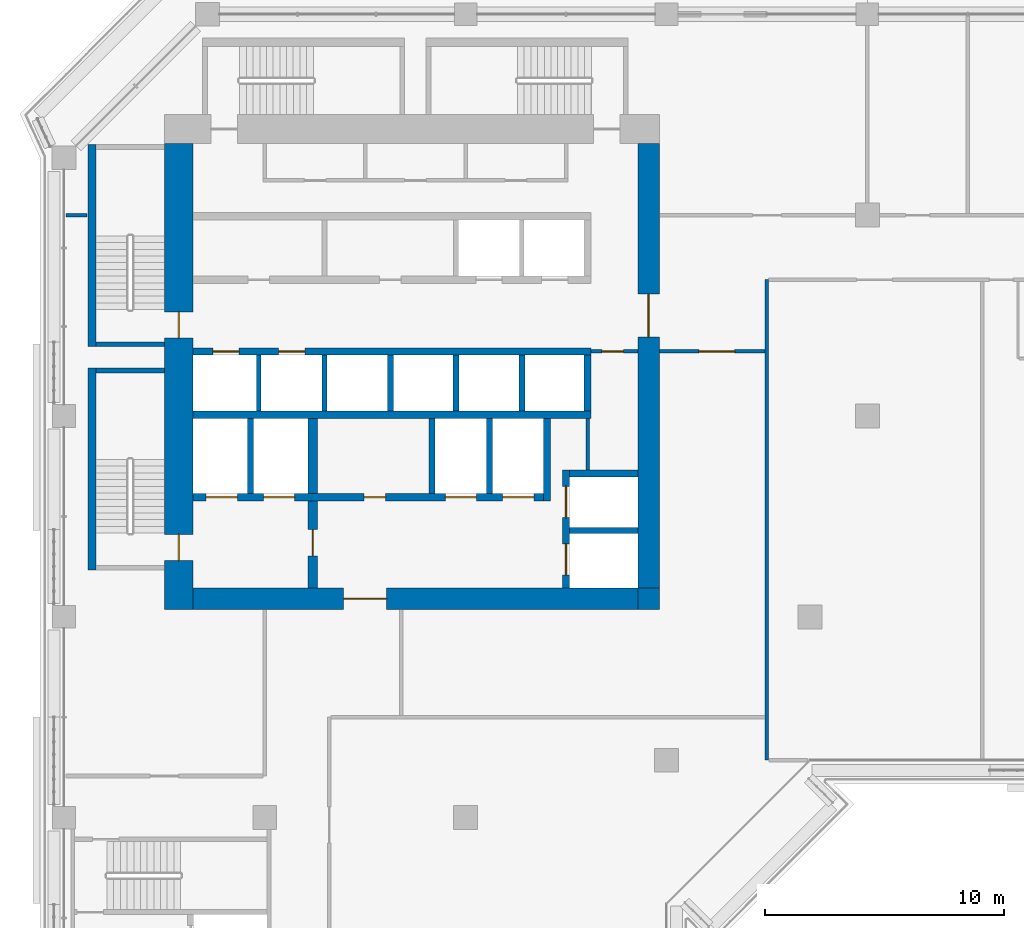
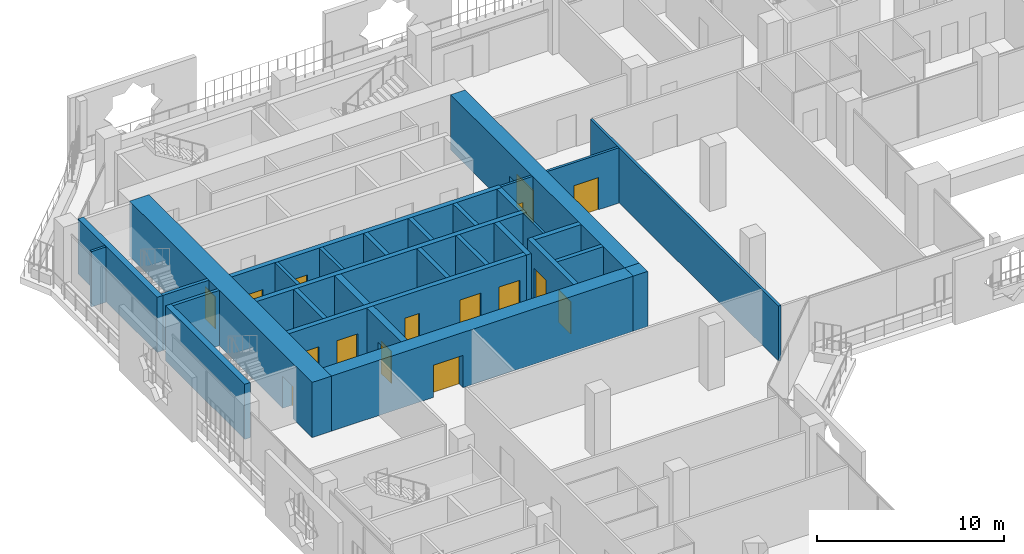
# One storey, part 12 of 23: 31 walls, 16 doors, 16 openings.
"""IFC4 building model written with IfcOpenShell, lengths in metres."""

from ifc_helpers import new_model, si_unit, direction, frame, frame_2d, origin, place, context, subcontext, project, spatial, rectangle, extrude, material, layer, layer_set, type_object, element, fill, save


model = new_model("IFC4")

# Units and contexts
model_context = context("Model", 3, precision=1e-05, world=origin(), true_north=direction((0.0, 1.0)))
body_context = subcontext(model_context, "Body", "Model", "MODEL_VIEW")
ifc_project = project(units=[si_unit("LENGTHUNIT", "METRE"), si_unit("AREAUNIT", "SQUARE_METRE"), si_unit("VOLUMEUNIT", "CUBIC_METRE"), si_unit("PLANEANGLEUNIT", "RADIAN"), si_unit("MASSUNIT", "GRAM", prefix="KILO")], contexts=[model_context])

# Site, building, storey
site_placement = place(None, origin())
site = spatial("IfcSite", under=ifc_project, at=site_placement, CompositionType="ELEMENT")
building_placement = place(site_placement, origin())
building = spatial("IfcBuilding", under=site, at=building_placement, Name="Kawkab Arch Medical Tower", CompositionType="ELEMENT")
storey_placement = place(building_placement, frame((0.0, 0.0, 166.800048828125)))
storey = spatial("IfcBuildingStorey", under=building, at=storey_placement, Name="L38", CompositionType="ELEMENT", Elevation=166.800048828125)

# Wall, openings, doors
ifc_material_1 = material(Name="Concrete C55/67", Category="concrete")
ifc_layer_1 = layer(ifc_material_1, 1.199951171875)
ifc_layer_set_1 = layer_set([ifc_layer_1], Name="Concrete C55/67")
wall_type_1 = type_object("IfcWallType", Name="Core ring wall 1200 C55/67", PredefinedType="SHEAR", material=ifc_layer_set_1)
wall_1_placement = place(storey_placement, frame((4.800048828125, -24.89990234375, 0.0), z_axis=(0.0, 0.0, 1.0), x_axis=(0.0, 1.0, 0.0)))
wall_1 = element("IfcWall", 1, at=wall_1_placement, inside=storey, type_object=wall_type_1, Name="L38 core wall", PredefinedType="SHEAR", context=body_context, shape_type="SweptSolid", body=[
    extrude(rectangle(XDim=19.5, YDim=1.199951171875, at=frame_2d((9.75, 0.0))), origin(), (0.0, 0.0, 1.0), 3.599853515625),
])
opening_1_placement = place(wall_1_placement, frame((11.35009765625, 0.0, 0.0)))
opening_1 = element("IfcOpeningElement", 2, at=opening_1_placement, cuts=wall_1, Name="Opening SD", PredefinedType="OPENING", context=body_context, shape_type="SweptSolid", body=[
    extrude(rectangle(XDim=1.10009765625, YDim=2.10009765625, at=frame_2d((0.550048828125, 1.050048828125))), frame((0.0, 0.60986328125, 0.0), z_axis=(0.0, -1.0, 0.0), x_axis=(1.0, 0.0, 0.0)), (0.0, 0.0, 1.0), 1.219970703125),
])
opening_2_placement = place(wall_1_placement, frame((2.050048828125, 0.0, 0.0)))
opening_2 = element("IfcOpeningElement", 3, at=opening_2_placement, cuts=wall_1, Name="Opening SD", PredefinedType="OPENING", context=body_context, shape_type="SweptSolid", body=[
    extrude(rectangle(XDim=1.10009765625, YDim=2.10009765625, at=frame_2d((0.550048828125, 1.050048828125))), frame((0.0, 0.60986328125, 0.0), z_axis=(0.0, -1.0, 0.0), x_axis=(1.0, 0.0, 0.0)), (0.0, 0.0, 1.0), 1.219970703125),
])
ifc_material_2 = material(Name="Hollow metal fire door leaf")
door_type_1 = type_object("IfcDoorType", Name="Exit stair door 1100", OperationType="SINGLE_SWING_LEFT", PredefinedType="DOOR", material=ifc_material_2)
door_1_placement = place(opening_1_placement, origin())
door_1 = element("IfcDoor", 4, at=door_1_placement, inside=storey, type_object=door_type_1, Name="L38 Exit stair ST1 door", OperationType="SINGLE_SWING_LEFT", OverallHeight=2.10009765625, OverallWidth=1.10009765625, PredefinedType="DOOR", context=body_context, shape_type="SweptSolid", body=[
    extrude(rectangle(XDim=1.10009765625, YDim=2.10009765625, at=frame_2d((0.550048828125, 1.050048828125))), frame((0.0, 0.02490234375, 0.0), z_axis=(0.0, -1.0, 0.0), x_axis=(1.0, 0.0, 0.0)), (0.0, 0.0, 1.0), 0.050048828125),
])
fill(opening_1, door_1)
door_2_placement = place(opening_2_placement, origin())
door_2 = element("IfcDoor", 5, at=door_2_placement, inside=storey, type_object=door_type_1, Name="L38 Exit stair ST2 door", OperationType="SINGLE_SWING_LEFT", OverallHeight=2.10009765625, OverallWidth=1.10009765625, PredefinedType="DOOR", context=body_context, shape_type="SweptSolid", body=[
    extrude(rectangle(XDim=1.10009765625, YDim=2.10009765625, at=frame_2d((0.550048828125, 1.050048828125))), frame((0.0, 0.02490234375, 0.0), z_axis=(0.0, -1.0, 0.0), x_axis=(1.0, 0.0, 0.0)), (0.0, 0.0, 1.0), 0.050048828125),
])
fill(opening_2, door_2)

# Wall, opening, door
ifc_material_3 = material(Name="Concrete C55/67", Category="concrete")
ifc_layer_2 = layer(ifc_material_3, 0.89990234375)
ifc_layer_set_2 = layer_set([ifc_layer_2], Name="Concrete C55/67")
wall_type_2 = type_object("IfcWallType", Name="Core ring wall 900 C55/67", PredefinedType="SHEAR", material=ifc_layer_set_2)
wall_2_placement = place(storey_placement, frame((24.449951171875, -24.0, 0.0), z_axis=(0.0, 0.0, 1.0), x_axis=(0.0, 1.0, 0.0)))
wall_2 = element("IfcWall", 6, at=wall_2_placement, inside=storey, type_object=wall_type_2, Name="L38 core wall", PredefinedType="SHEAR", context=body_context, shape_type="SweptSolid", body=[
    extrude(rectangle(XDim=18.60009765625, YDim=0.89990234375, at=frame_2d((9.300048828125, 0.0))), origin(), (0.0, 0.0, 1.0), 3.599853515625),
])
opening_3_placement = place(wall_2_placement, frame((10.5, 0.0, 0.0)))
opening_3 = element("IfcOpeningElement", 7, at=opening_3_placement, cuts=wall_2, Name="Opening PD", PredefinedType="OPENING", context=body_context, shape_type="SweptSolid", body=[
    extrude(rectangle(XDim=1.800048828125, YDim=2.10009765625, at=frame_2d((0.89990234375, 1.050048828125))), frame((0.0, 0.4599609375, 0.0), z_axis=(0.0, -1.0, 0.0), x_axis=(1.0, 0.0, 0.0)), (0.0, 0.0, 1.0), 0.919921875),
])
ifc_material_4 = material(Name="Hollow metal fire door leaf")
door_type_2 = type_object("IfcDoorType", Name="Core entrance doors 1800", OperationType="DOUBLE_DOOR_SINGLE_SWING", PredefinedType="DOOR", material=ifc_material_4)
door_3_placement = place(opening_3_placement, origin())
door_3 = element("IfcDoor", 8, at=door_3_placement, inside=storey, type_object=door_type_2, Name="L38 East entrance doors", OperationType="DOUBLE_DOOR_SINGLE_SWING", OverallHeight=2.10009765625, OverallWidth=1.800048828125, PredefinedType="DOOR", context=body_context, shape_type="SweptSolid", body=[
    extrude(rectangle(XDim=1.800048828125, YDim=2.10009765625, at=frame_2d((0.89990234375, 1.050048828125))), frame((0.0, 0.02490234375, 0.0), z_axis=(0.0, -1.0, 0.0), x_axis=(1.0, 0.0, 0.0)), (0.0, 0.0, 1.0), 0.050048828125),
])
fill(opening_3, door_3)

wall_3_placement = place(storey_placement, frame((5.39990234375, -24.449951171875, 0.0), z_axis=(0.0, 0.0, 1.0), x_axis=(1.0, 0.0, 0.0)))
wall_3 = element("IfcWall", 9, at=wall_3_placement, inside=storey, type_object=wall_type_2, Name="L38 core wall", PredefinedType="SHEAR", context=body_context, shape_type="SweptSolid", body=[
    extrude(rectangle(XDim=18.60009765625, YDim=0.89990234375, at=frame_2d((9.300048828125, 0.0))), origin(), (0.0, 0.0, 1.0), 3.599853515625),
])
opening_4_placement = place(wall_3_placement, frame((6.300048828125, 0.0, 0.0)))
opening_4 = element("IfcOpeningElement", 10, at=opening_4_placement, cuts=wall_3, Name="Opening PD", PredefinedType="OPENING", context=body_context, shape_type="SweptSolid", body=[
    extrude(rectangle(XDim=1.800048828125, YDim=2.10009765625, at=frame_2d((0.89990234375, 1.050048828125))), frame((0.0, 0.4599609375, 0.0), z_axis=(0.0, -1.0, 0.0), x_axis=(1.0, 0.0, 0.0)), (0.0, 0.0, 1.0), 0.919921875),
])
door_4_placement = place(opening_4_placement, origin())
door_4 = element("IfcDoor", 11, at=door_4_placement, inside=storey, type_object=door_type_2, Name="L38 South entrance doors", OperationType="DOUBLE_DOOR_SINGLE_SWING", OverallHeight=2.10009765625, OverallWidth=1.800048828125, PredefinedType="DOOR", context=body_context, shape_type="SweptSolid", body=[
    extrude(rectangle(XDim=1.800048828125, YDim=2.10009765625, at=frame_2d((0.89990234375, 1.050048828125))), frame((0.0, 0.02490234375, 0.0), z_axis=(0.0, -1.0, 0.0), x_axis=(1.0, 0.0, 0.0)), (0.0, 0.0, 1.0), 0.050048828125),
])
fill(opening_4, door_4)

# Walls
wall_4_placement = place(storey_placement, frame((24.449951171875, -24.89990234375, 0.0), z_axis=(0.0, 0.0, 1.0), x_axis=(0.0, 1.0, 0.0)))
element("IfcWall", 12, at=wall_4_placement, inside=storey, type_object=wall_type_2, Name="L38 core wall", PredefinedType="SHEAR", context=body_context, shape_type="SweptSolid", body=[
    extrude(rectangle(XDim=0.89990234375, YDim=0.89990234375, at=frame_2d((0.449951171875, 0.0))), origin(), (0.0, 0.0, 1.0), 3.599853515625),
])
ifc_material_5 = material(Name="Gypsum board on steel studs", Category="steel")
ifc_layer_3 = layer(ifc_material_5, 0.14990234375)
ifc_layer_set_3 = layer_set([ifc_layer_3], Name="Gypsum board on steel studs")
wall_type_3 = type_object("IfcWallType", Name="Core room partition 150", PredefinedType="PARTITIONING", material=ifc_layer_set_3)
wall_5_placement = place(storey_placement, frame((21.89990234375, -19.050048828125, 0.0), z_axis=(0.0, 0.0, 1.0), x_axis=(0.0, 1.0, 0.0)))
element("IfcWall", 13, at=wall_5_placement, inside=storey, type_object=wall_type_3, Name="L38 core room partition", PredefinedType="PARTITIONING", context=body_context, shape_type="SweptSolid", body=[
    extrude(rectangle(XDim=2.150146484375, YDim=0.14990234375, at=frame_2d((1.0751953125, 0.0))), origin(), (0.0, 0.0, 1.0), 3.599853515625),
])

# Wall, opening, door
wall_6_placement = place(storey_placement, frame((22.050048828125, -14.10009765625, 0.0), z_axis=(0.0, 0.0, 1.0), x_axis=(1.0, 0.0, 0.0)))
wall_6 = element("IfcWall", 14, at=wall_6_placement, inside=storey, type_object=wall_type_3, Name="L38 core room partition", PredefinedType="PARTITIONING", context=body_context, shape_type="SweptSolid", body=[
    extrude(rectangle(XDim=1.949951171875, YDim=0.14990234375, at=frame_2d((0.97509765625, 0.0))), origin(), (0.0, 0.0, 1.0), 3.599853515625),
])
opening_5_placement = place(wall_6_placement, frame((0.449951171875, 0.0, 0.0)))
opening_5 = element("IfcOpeningElement", 15, at=opening_5_placement, cuts=wall_6, Name="Opening RD", PredefinedType="OPENING", context=body_context, shape_type="SweptSolid", body=[
    extrude(rectangle(XDim=0.89990234375, YDim=2.10009765625, at=frame_2d((0.449951171875, 1.050048828125))), frame((0.0, 0.0849609375, 0.0), z_axis=(0.0, -1.0, 0.0), x_axis=(1.0, 0.0, 0.0)), (0.0, 0.0, 1.0), 0.169921875),
])
ifc_material_6 = material(Name="Hollow metal fire door leaf")
door_type_3 = type_object("IfcDoorType", Name="Core room door 900", OperationType="SINGLE_SWING_LEFT", PredefinedType="DOOR", material=ifc_material_6)
door_5_placement = place(opening_5_placement, origin())
door_5 = element("IfcDoor", 16, at=door_5_placement, inside=storey, type_object=door_type_3, Name="L38 Housekeeping store door", OperationType="SINGLE_SWING_LEFT", OverallHeight=2.10009765625, OverallWidth=0.89990234375, PredefinedType="DOOR", context=body_context, shape_type="SweptSolid", body=[
    extrude(rectangle(XDim=0.89990234375, YDim=2.10009765625, at=frame_2d((0.449951171875, 1.050048828125))), frame((0.0, 0.02490234375, 0.0), z_axis=(0.0, -1.0, 0.0), x_axis=(1.0, 0.0, 0.0)), (0.0, 0.0, 1.0), 0.050048828125),
])
fill(opening_5, door_5)

# Walls
ifc_material_7 = material(Name="Concrete C60/75", Category="concrete")
ifc_layer_4 = layer(ifc_material_7, 0.25)
ifc_layer_set_4 = layer_set([ifc_layer_4], Name="Concrete C60/75")
wall_type_4 = type_object("IfcWallType", Name="Core shear wall 250 C60/75", PredefinedType="SHEAR", material=ifc_layer_set_4)
wall_7_placement = place(storey_placement, frame((21.14990234375, -21.60009765625, 0.0), z_axis=(0.0, 0.0, 1.0), x_axis=(1.0, 0.0, 0.0)))
element("IfcWall", 17, at=wall_7_placement, inside=storey, type_object=wall_type_4, Name="L38 core shear wall", PredefinedType="SHEAR", context=body_context, shape_type="SweptSolid", body=[
    extrude(rectangle(XDim=2.85009765625, YDim=0.25, at=frame_2d((1.425048828125, 0.0))), origin(), (0.0, 0.0, 1.0), 3.599853515625),
])
for number, where, z_axis, x_axis, name in (
    (18, (7.800048828125, -20.050048828125, 0.0), (0.0, 0.0, 1.0), (0.0, 1.0, 0.0), "L38 core shear wall"),
    (19, (15.39990234375, -20.050048828125, 0.0), (0.0, 0.0, 1.0), (0.0, 1.0, 0.0), "L38 core shear wall"),
    (20, (17.800048828125, -20.050048828125, 0.0), (0.0, 0.0, 1.0), (0.0, 1.0, 0.0), "L38 core shear wall"),
):
    element("IfcWall", number, at=place(storey_placement, frame(where, z_axis=z_axis, x_axis=x_axis)), inside=storey, type_object=wall_type_4, Name=name, PredefinedType="SHEAR", context=body_context, shape_type="SweptSolid", body=[
        extrude(rectangle(XDim=3.150146484375, YDim=0.25, at=frame_2d((1.5751953125, 0.0))), origin(), (0.0, 0.0, 1.0), 3.599853515625),
    ])
for number, where, z_axis, x_axis, name in (
    (21, (13.64990234375, -16.60009765625, 0.0), (0.0, 0.0, 1.0), (0.0, 1.0, 0.0), "L38 core shear wall"),
    (22, (16.39990234375, -16.60009765625, 0.0), (0.0, 0.0, 1.0), (0.0, 1.0, 0.0), "L38 core shear wall"),
    (23, (19.14990234375, -16.60009765625, 0.0), (0.0, 0.0, 1.0), (0.0, 1.0, 0.0), "L38 core shear wall"),
):
    element("IfcWall", number, at=place(storey_placement, frame(where, z_axis=z_axis, x_axis=x_axis)), inside=storey, type_object=wall_type_4, Name=name, PredefinedType="SHEAR", context=body_context, shape_type="SweptSolid", body=[
        extrude(rectangle(XDim=2.35009765625, YDim=0.25, at=frame_2d((1.175048828125, 0.0))), origin(), (0.0, 0.0, 1.0), 3.599853515625),
    ])

# Wall, openings, doors
ifc_material_8 = material(Name="Concrete C60/75", Category="concrete")
ifc_layer_5 = layer(ifc_material_8, 0.300048828125)
ifc_layer_set_5 = layer_set([ifc_layer_5], Name="Concrete C60/75")
wall_type_5 = type_object("IfcWallType", Name="Core shear wall 300 C60/75", PredefinedType="SHEAR", material=ifc_layer_set_5)
wall_8_placement = place(storey_placement, frame((5.39990234375, -14.10009765625, 0.0), z_axis=(0.0, 0.0, 1.0), x_axis=(1.0, 0.0, 0.0)))
wall_8 = element("IfcWall", 24, at=wall_8_placement, inside=storey, type_object=wall_type_5, Name="L38 core shear wall", PredefinedType="SHEAR", context=body_context, shape_type="SweptSolid", body=[
    extrude(rectangle(XDim=16.650146484375, YDim=0.300048828125, at=frame_2d((8.3251953125, 0.0))), origin(), (0.0, 0.0, 1.0), 3.599853515625),
])
opening_6_placement = place(wall_8_placement, frame((0.824951171875, 0.0, 0.0)))
opening_6 = element("IfcOpeningElement", 25, at=opening_6_placement, cuts=wall_8, Name="Opening LD1", PredefinedType="OPENING", context=body_context, shape_type="SweptSolid", body=[
    extrude(rectangle(XDim=1.10009765625, YDim=2.10009765625, at=frame_2d((0.550048828125, 1.050048828125))), frame((0.0, 0.159912109375, 0.0), z_axis=(0.0, -1.0, 0.0), x_axis=(1.0, 0.0, 0.0)), (0.0, 0.0, 1.0), 0.320068359375),
])
opening_7_placement = place(wall_8_placement, frame((3.574951171875, 0.0, 0.0)))
opening_7 = element("IfcOpeningElement", 26, at=opening_7_placement, cuts=wall_8, Name="Opening LD1", PredefinedType="OPENING", context=body_context, shape_type="SweptSolid", body=[
    extrude(rectangle(XDim=1.10009765625, YDim=2.10009765625, at=frame_2d((0.550048828125, 1.050048828125))), frame((0.0, 0.159912109375, 0.0), z_axis=(0.0, -1.0, 0.0), x_axis=(1.0, 0.0, 0.0)), (0.0, 0.0, 1.0), 0.320068359375),
])
ifc_material_9 = material(Name="Stainless steel lift door leaf", Category="steel")
door_type_4 = type_object("IfcDoorType", Name="Lift landing door 1100", OperationType="DOUBLE_DOOR_SLIDING", PredefinedType="DOOR", material=ifc_material_9)
door_6_placement = place(opening_6_placement, origin())
door_6 = element("IfcDoor", 27, at=door_6_placement, inside=storey, type_object=door_type_4, Name="L38 Lift landing door MP3", OperationType="DOUBLE_DOOR_SLIDING", OverallHeight=2.10009765625, OverallWidth=1.10009765625, PredefinedType="DOOR", context=body_context, shape_type="SweptSolid", body=[
    extrude(rectangle(XDim=1.10009765625, YDim=2.10009765625, at=frame_2d((0.550048828125, 1.050048828125))), frame((0.0, 0.02490234375, 0.0), z_axis=(0.0, -1.0, 0.0), x_axis=(1.0, 0.0, 0.0)), (0.0, 0.0, 1.0), 0.050048828125),
])
fill(opening_6, door_6)
door_7_placement = place(opening_7_placement, origin())
door_7 = element("IfcDoor", 28, at=door_7_placement, inside=storey, type_object=door_type_4, Name="L38 Lift landing door MP4", OperationType="DOUBLE_DOOR_SLIDING", OverallHeight=2.10009765625, OverallWidth=1.10009765625, PredefinedType="DOOR", context=body_context, shape_type="SweptSolid", body=[
    extrude(rectangle(XDim=1.10009765625, YDim=2.10009765625, at=frame_2d((0.550048828125, 1.050048828125))), frame((0.0, 0.02490234375, 0.0), z_axis=(0.0, -1.0, 0.0), x_axis=(1.0, 0.0, 0.0)), (0.0, 0.0, 1.0), 0.050048828125),
])
fill(opening_7, door_7)

# Wall
wall_9_placement = place(storey_placement, frame((5.39990234375, -16.75, 0.0), z_axis=(0.0, 0.0, 1.0), x_axis=(1.0, 0.0, 0.0)))
element("IfcWall", 29, at=wall_9_placement, inside=storey, type_object=wall_type_5, Name="L38 core shear wall", PredefinedType="SHEAR", context=body_context, shape_type="SweptSolid", body=[
    extrude(rectangle(XDim=16.650146484375, YDim=0.300048828125, at=frame_2d((8.3251953125, 0.0))), origin(), (0.0, 0.0, 1.0), 3.599853515625),
])

# Wall, openings, doors
wall_10_placement = place(storey_placement, frame((5.39990234375, -20.199951171875, 0.0), z_axis=(0.0, 0.0, 1.0), x_axis=(1.0, 0.0, 0.0)))
wall_10 = element("IfcWall", 30, at=wall_10_placement, inside=storey, type_object=wall_type_5, Name="L38 core shear wall", PredefinedType="SHEAR", context=body_context, shape_type="SweptSolid", body=[
    extrude(rectangle(XDim=14.650146484375, YDim=0.300048828125, at=frame_2d((7.3251953125, 0.0))), origin(), (0.0, 0.0, 1.0), 3.599853515625),
])
opening_8_placement = place(wall_10_placement, frame((10.550048828125, 0.0, 0.0)))
opening_8 = element("IfcOpeningElement", 31, at=opening_8_placement, cuts=wall_10, Name="Opening LD2", PredefinedType="OPENING", context=body_context, shape_type="SweptSolid", body=[
    extrude(rectangle(XDim=1.300048828125, YDim=2.10009765625, at=frame_2d((0.64990234375, 1.050048828125))), frame((0.0, 0.159912109375, 0.0), z_axis=(0.0, -1.0, 0.0), x_axis=(1.0, 0.0, 0.0)), (0.0, 0.0, 1.0), 0.320068359375),
])
opening_9_placement = place(wall_10_placement, frame((12.949951171875, 0.0, 0.0)))
opening_9 = element("IfcOpeningElement", 32, at=opening_9_placement, cuts=wall_10, Name="Opening LD2", PredefinedType="OPENING", context=body_context, shape_type="SweptSolid", body=[
    extrude(rectangle(XDim=1.300048828125, YDim=2.10009765625, at=frame_2d((0.64990234375, 1.050048828125))), frame((0.0, 0.159912109375, 0.0), z_axis=(0.0, -1.0, 0.0), x_axis=(1.0, 0.0, 0.0)), (0.0, 0.0, 1.0), 0.320068359375),
])
opening_10_placement = place(wall_10_placement, frame((0.550048828125, 0.0, 0.0)))
opening_10 = element("IfcOpeningElement", 33, at=opening_10_placement, cuts=wall_10, Name="Opening LD2", PredefinedType="OPENING", context=body_context, shape_type="SweptSolid", body=[
    extrude(rectangle(XDim=1.300048828125, YDim=2.10009765625, at=frame_2d((0.64990234375, 1.050048828125))), frame((0.0, 0.159912109375, 0.0), z_axis=(0.0, -1.0, 0.0), x_axis=(1.0, 0.0, 0.0)), (0.0, 0.0, 1.0), 0.320068359375),
])
opening_11_placement = place(wall_10_placement, frame((2.949951171875, 0.0, 0.0)))
opening_11 = element("IfcOpeningElement", 34, at=opening_11_placement, cuts=wall_10, Name="Opening LD2", PredefinedType="OPENING", context=body_context, shape_type="SweptSolid", body=[
    extrude(rectangle(XDim=1.300048828125, YDim=2.10009765625, at=frame_2d((0.64990234375, 1.050048828125))), frame((0.0, 0.159912109375, 0.0), z_axis=(0.0, -1.0, 0.0), x_axis=(1.0, 0.0, 0.0)), (0.0, 0.0, 1.0), 0.320068359375),
])
opening_12_placement = place(wall_10_placement, frame((7.14990234375, 0.0, 0.0)))
opening_12 = element("IfcOpeningElement", 35, at=opening_12_placement, cuts=wall_10, Name="Opening RD", PredefinedType="OPENING", context=body_context, shape_type="SweptSolid", body=[
    extrude(rectangle(XDim=0.89990234375, YDim=2.10009765625, at=frame_2d((0.449951171875, 1.050048828125))), frame((0.0, 0.159912109375, 0.0), z_axis=(0.0, -1.0, 0.0), x_axis=(1.0, 0.0, 0.0)), (0.0, 0.0, 1.0), 0.320068359375),
])
door_8_placement = place(opening_12_placement, origin())
door_8 = element("IfcDoor", 36, at=door_8_placement, inside=storey, type_object=door_type_3, Name="L38 General store door", OperationType="SINGLE_SWING_LEFT", OverallHeight=2.10009765625, OverallWidth=0.89990234375, PredefinedType="DOOR", context=body_context, shape_type="SweptSolid", body=[
    extrude(rectangle(XDim=0.89990234375, YDim=2.10009765625, at=frame_2d((0.449951171875, 1.050048828125))), frame((0.0, 0.02490234375, 0.0), z_axis=(0.0, -1.0, 0.0), x_axis=(1.0, 0.0, 0.0)), (0.0, 0.0, 1.0), 0.050048828125),
])
fill(opening_12, door_8)
ifc_material_10 = material(Name="Stainless steel lift door leaf", Category="steel")
door_type_5 = type_object("IfcDoorType", Name="Lift landing door 1300", OperationType="DOUBLE_DOOR_SLIDING", PredefinedType="DOOR", material=ifc_material_10)
door_9_placement = place(opening_8_placement, origin())
door_9 = element("IfcDoor", 37, at=door_9_placement, inside=storey, type_object=door_type_5, Name="L38 Lift landing door BD3", OperationType="DOUBLE_DOOR_SLIDING", OverallHeight=2.10009765625, OverallWidth=1.300048828125, PredefinedType="DOOR", context=body_context, shape_type="SweptSolid", body=[
    extrude(rectangle(XDim=1.300048828125, YDim=2.10009765625, at=frame_2d((0.64990234375, 1.050048828125))), frame((0.0, 0.02490234375, 0.0), z_axis=(0.0, -1.0, 0.0), x_axis=(1.0, 0.0, 0.0)), (0.0, 0.0, 1.0), 0.050048828125),
])
fill(opening_8, door_9)
door_10_placement = place(opening_9_placement, origin())
door_10 = element("IfcDoor", 38, at=door_10_placement, inside=storey, type_object=door_type_5, Name="L38 Lift landing door BD4", OperationType="DOUBLE_DOOR_SLIDING", OverallHeight=2.10009765625, OverallWidth=1.300048828125, PredefinedType="DOOR", context=body_context, shape_type="SweptSolid", body=[
    extrude(rectangle(XDim=1.300048828125, YDim=2.10009765625, at=frame_2d((0.64990234375, 1.050048828125))), frame((0.0, 0.02490234375, 0.0), z_axis=(0.0, -1.0, 0.0), x_axis=(1.0, 0.0, 0.0)), (0.0, 0.0, 1.0), 0.050048828125),
])
fill(opening_9, door_10)
door_11_placement = place(opening_10_placement, origin())
door_11 = element("IfcDoor", 39, at=door_11_placement, inside=storey, type_object=door_type_5, Name="L38 Lift landing door FL1", OperationType="DOUBLE_DOOR_SLIDING", OverallHeight=2.10009765625, OverallWidth=1.300048828125, PredefinedType="DOOR", context=body_context, shape_type="SweptSolid", body=[
    extrude(rectangle(XDim=1.300048828125, YDim=2.10009765625, at=frame_2d((0.64990234375, 1.050048828125))), frame((0.0, 0.02490234375, 0.0), z_axis=(0.0, -1.0, 0.0), x_axis=(1.0, 0.0, 0.0)), (0.0, 0.0, 1.0), 0.050048828125),
])
fill(opening_10, door_11)
door_12_placement = place(opening_11_placement, origin())
door_12 = element("IfcDoor", 40, at=door_12_placement, inside=storey, type_object=door_type_5, Name="L38 Lift landing door FL2", OperationType="DOUBLE_DOOR_SLIDING", OverallHeight=2.10009765625, OverallWidth=1.300048828125, PredefinedType="DOOR", context=body_context, shape_type="SweptSolid", body=[
    extrude(rectangle(XDim=1.300048828125, YDim=2.10009765625, at=frame_2d((0.64990234375, 1.050048828125))), frame((0.0, 0.02490234375, 0.0), z_axis=(0.0, -1.0, 0.0), x_axis=(1.0, 0.0, 0.0)), (0.0, 0.0, 1.0), 0.050048828125),
])
fill(opening_11, door_12)

# Walls
wall_11_placement = place(storey_placement, frame((20.199951171875, -20.35009765625, 0.0), z_axis=(0.0, 0.0, 1.0), x_axis=(0.0, 1.0, 0.0)))
element("IfcWall", 41, at=wall_11_placement, inside=storey, type_object=wall_type_5, Name="L38 core shear wall", PredefinedType="SHEAR", context=body_context, shape_type="SweptSolid", body=[
    extrude(rectangle(XDim=3.4501953125, YDim=0.300048828125, at=frame_2d((1.72509765625, 0.0))), origin(), (0.0, 0.0, 1.0), 3.599853515625),
])
wall_12_placement = place(storey_placement, frame((21.89990234375, -16.60009765625, 0.0), z_axis=(0.0, 0.0, 1.0), x_axis=(0.0, 1.0, 0.0)))
element("IfcWall", 42, at=wall_12_placement, inside=storey, type_object=wall_type_5, Name="L38 core shear wall", PredefinedType="SHEAR", context=body_context, shape_type="SweptSolid", body=[
    extrude(rectangle(XDim=2.35009765625, YDim=0.300048828125, at=frame_2d((1.175048828125, 0.0))), origin(), (0.0, 0.0, 1.0), 3.599853515625),
])
wall_13_placement = place(storey_placement, frame((21.14990234375, -19.199951171875, 0.0), z_axis=(0.0, 0.0, 1.0), x_axis=(1.0, 0.0, 0.0)))
element("IfcWall", 43, at=wall_13_placement, inside=storey, type_object=wall_type_5, Name="L38 core shear wall", PredefinedType="SHEAR", context=body_context, shape_type="SweptSolid", body=[
    extrude(rectangle(XDim=2.85009765625, YDim=0.300048828125, at=frame_2d((1.425048828125, 0.0))), origin(), (0.0, 0.0, 1.0), 3.599853515625),
])

# Wall, openings, doors
wall_14_placement = place(storey_placement, frame((21.0, -24.0, 0.0), z_axis=(0.0, 0.0, 1.0), x_axis=(0.0, 1.0, 0.0)))
wall_14 = element("IfcWall", 44, at=wall_14_placement, inside=storey, type_object=wall_type_5, Name="L38 core shear wall", PredefinedType="SHEAR", context=body_context, shape_type="SweptSolid", body=[
    extrude(rectangle(XDim=4.949951171875, YDim=0.300048828125, at=frame_2d((2.47509765625, 0.0))), origin(), (0.0, 0.0, 1.0), 3.599853515625),
])
opening_13_placement = place(wall_14_placement, frame((2.949951171875, 0.0, 0.0)))
opening_13 = element("IfcOpeningElement", 45, at=opening_13_placement, cuts=wall_14, Name="Opening LD2", PredefinedType="OPENING", context=body_context, shape_type="SweptSolid", body=[
    extrude(rectangle(XDim=1.300048828125, YDim=2.10009765625, at=frame_2d((0.64990234375, 1.050048828125))), frame((0.0, 0.159912109375, 0.0), z_axis=(0.0, -1.0, 0.0), x_axis=(1.0, 0.0, 0.0)), (0.0, 0.0, 1.0), 0.320068359375),
])
opening_14_placement = place(wall_14_placement, frame((0.550048828125, 0.0, 0.0)))
opening_14 = element("IfcOpeningElement", 46, at=opening_14_placement, cuts=wall_14, Name="Opening LD2", PredefinedType="OPENING", context=body_context, shape_type="SweptSolid", body=[
    extrude(rectangle(XDim=1.300048828125, YDim=2.10009765625, at=frame_2d((0.64990234375, 1.050048828125))), frame((0.0, 0.159912109375, 0.0), z_axis=(0.0, -1.0, 0.0), x_axis=(1.0, 0.0, 0.0)), (0.0, 0.0, 1.0), 0.320068359375),
])
door_13_placement = place(opening_13_placement, origin())
door_13 = element("IfcDoor", 47, at=door_13_placement, inside=storey, type_object=door_type_5, Name="L38 Lift landing door BD1", OperationType="DOUBLE_DOOR_SLIDING", OverallHeight=2.10009765625, OverallWidth=1.300048828125, PredefinedType="DOOR", context=body_context, shape_type="SweptSolid", body=[
    extrude(rectangle(XDim=1.300048828125, YDim=2.10009765625, at=frame_2d((0.64990234375, 1.050048828125))), frame((0.0, 0.02490234375, 0.0), z_axis=(0.0, -1.0, 0.0), x_axis=(1.0, 0.0, 0.0)), (0.0, 0.0, 1.0), 0.050048828125),
])
fill(opening_13, door_13)
door_14_placement = place(opening_14_placement, origin())
door_14 = element("IfcDoor", 48, at=door_14_placement, inside=storey, type_object=door_type_5, Name="L38 Lift landing door BD2", OperationType="DOUBLE_DOOR_SLIDING", OverallHeight=2.10009765625, OverallWidth=1.300048828125, PredefinedType="DOOR", context=body_context, shape_type="SweptSolid", body=[
    extrude(rectangle(XDim=1.300048828125, YDim=2.10009765625, at=frame_2d((0.64990234375, 1.050048828125))), frame((0.0, 0.02490234375, 0.0), z_axis=(0.0, -1.0, 0.0), x_axis=(1.0, 0.0, 0.0)), (0.0, 0.0, 1.0), 0.050048828125),
])
fill(opening_14, door_14)

# Wall, opening, door
ifc_material_11 = material(Name="Concrete C60/75", Category="concrete")
ifc_layer_6 = layer(ifc_material_11, 0.39990234375)
ifc_layer_set_6 = layer_set([ifc_layer_6], Name="Concrete C60/75")
wall_type_6 = type_object("IfcWallType", Name="Core shear wall 400 C60/75", PredefinedType="SHEAR", material=ifc_layer_set_6)
wall_15_placement = place(storey_placement, frame((10.39990234375, -24.0, 0.0), z_axis=(0.0, 0.0, 1.0), x_axis=(0.0, 1.0, 0.0)))
wall_15 = element("IfcWall", 49, at=wall_15_placement, inside=storey, type_object=wall_type_6, Name="L38 core shear wall", PredefinedType="SHEAR", context=body_context, shape_type="SweptSolid", body=[
    extrude(rectangle(XDim=3.64990234375, YDim=0.39990234375, at=frame_2d((1.824951171875, 0.0))), origin(), (0.0, 0.0, 1.0), 3.599853515625),
])
opening_15_placement = place(wall_15_placement, frame((1.35009765625, 0.0, 0.0)))
opening_15 = element("IfcOpeningElement", 50, at=opening_15_placement, cuts=wall_15, Name="Opening FD", PredefinedType="OPENING", context=body_context, shape_type="SweptSolid", body=[
    extrude(rectangle(XDim=1.10009765625, YDim=2.10009765625, at=frame_2d((0.550048828125, 1.050048828125))), frame((0.0, 0.2099609375, 0.0), z_axis=(0.0, -1.0, 0.0), x_axis=(1.0, 0.0, 0.0)), (0.0, 0.0, 1.0), 0.419921875),
])
ifc_material_12 = material(Name="Hollow metal fire door leaf")
door_type_6 = type_object("IfcDoorType", Name="Firefighting lobby door 1100", OperationType="SINGLE_SWING_LEFT", PredefinedType="DOOR", material=ifc_material_12)
door_15_placement = place(opening_15_placement, origin())
door_15 = element("IfcDoor", 51, at=door_15_placement, inside=storey, type_object=door_type_6, Name="L38 Firefighting lobby door", OperationType="SINGLE_SWING_LEFT", OverallHeight=2.10009765625, OverallWidth=1.10009765625, PredefinedType="DOOR", context=body_context, shape_type="SweptSolid", body=[
    extrude(rectangle(XDim=1.10009765625, YDim=2.10009765625, at=frame_2d((0.550048828125, 1.050048828125))), frame((0.0, 0.02490234375, 0.0), z_axis=(0.0, -1.0, 0.0), x_axis=(1.0, 0.0, 0.0)), (0.0, 0.0, 1.0), 0.050048828125),
])
fill(opening_15, door_15)

# Walls
wall_16_placement = place(storey_placement, frame((10.39990234375, -20.050048828125, 0.0), z_axis=(0.0, 0.0, 1.0), x_axis=(0.0, 1.0, 0.0)))
element("IfcWall", 52, at=wall_16_placement, inside=storey, type_object=wall_type_6, Name="L38 core shear wall", PredefinedType="SHEAR", context=body_context, shape_type="SweptSolid", body=[
    extrude(rectangle(XDim=3.150146484375, YDim=0.39990234375, at=frame_2d((1.5751953125, 0.0))), origin(), (0.0, 0.0, 1.0), 3.599853515625),
])
ifc_material_13 = material(Name="Dense concrete blockwork", Category="masonry")
ifc_layer_7 = layer(ifc_material_13, 0.199951171875)
ifc_layer_set_7 = layer_set([ifc_layer_7], Name="Dense concrete blockwork")
wall_type_7 = type_object("IfcWallType", Name="Lift shaft partition 200", PredefinedType="PARTITIONING", material=ifc_layer_set_7)
for number, where, z_axis, x_axis, name in (
    (53, (8.14990234375, -16.60009765625, 0.0), (0.0, 0.0, 1.0), (0.0, 1.0, 0.0), "L38 lift shaft partition"),
    (54, (10.89990234375, -16.60009765625, 0.0), (0.0, 0.0, 1.0), (0.0, 1.0, 0.0), "L38 lift shaft partition"),
):
    element("IfcWall", number, at=place(storey_placement, frame(where, z_axis=z_axis, x_axis=x_axis)), inside=storey, type_object=wall_type_7, Name=name, PredefinedType="PARTITIONING", context=body_context, shape_type="SweptSolid", body=[
        extrude(rectangle(XDim=2.35009765625, YDim=0.199951171875, at=frame_2d((1.175048828125, 0.0))), origin(), (0.0, 0.0, 1.0), 3.599853515625),
    ])

# Wall, opening, door
ifc_material_14 = material(Name="Gypsum board partition on steel studs, mineral wool", Category="steel")
ifc_layer_8 = layer(ifc_material_14, 0.14990234375)
ifc_layer_set_8 = layer_set([ifc_layer_8], Name="Gypsum board partition on steel studs, mineral wool")
wall_type_8 = type_object("IfcWallType", Name="Partition 150", PredefinedType="PARTITIONING", material=ifc_layer_set_8)
wall_17_placement = place(storey_placement, frame((24.89990234375, -14.10009765625, 0.0), z_axis=(0.0, 0.0, 1.0), x_axis=(1.0, 0.0, 0.0)))
wall_17 = element("IfcWall", 55, at=wall_17_placement, inside=storey, type_object=wall_type_8, Name="Partition 150 w027", PredefinedType="PARTITIONING", context=body_context, shape_type="SweptSolid", body=[
    extrude(rectangle(XDim=4.425048828125, YDim=0.14990234375, at=frame_2d((2.21240234375, 0.0))), origin(), (0.0, 0.0, 1.0), 3.599853515625),
])
opening_16_placement = place(wall_17_placement, frame((1.64990234375, 0.0, 0.0)))
opening_16 = element("IfcOpeningElement", 56, at=opening_16_placement, cuts=wall_17, Name="Opening B38-001", PredefinedType="OPENING", context=body_context, shape_type="SweptSolid", body=[
    extrude(rectangle(XDim=1.5, YDim=2.10009765625, at=frame_2d((0.75, 1.050048828125))), frame((0.0, 0.0849609375, 0.0), z_axis=(0.0, -1.0, 0.0), x_axis=(1.0, 0.0, 0.0)), (0.0, 0.0, 1.0), 0.169921875),
])
ifc_material_15 = material(Name="Hollow metal door leaf")
door_type_7 = type_object("IfcDoorType", Name="Double door 1500x2100 FD30S", OperationType="NOTDEFINED", PredefinedType="DOOR", material=ifc_material_15)
door_16_placement = place(opening_16_placement, origin())
door_16 = element("IfcDoor", 57, at=door_16_placement, inside=storey, type_object=door_type_7, Name="Door B38-001", OperationType="DOUBLE_DOOR_SINGLE_SWING", OverallHeight=2.10009765625, OverallWidth=1.5, PredefinedType="DOOR", context=body_context, shape_type="SweptSolid", body=[
    extrude(rectangle(XDim=1.5, YDim=2.10009765625, at=frame_2d((0.75, 1.050048828125))), frame((0.0, 0.02490234375, 0.0), z_axis=(0.0, -1.0, 0.0), x_axis=(1.0, 0.0, 0.0)), (0.0, 0.0, 1.0), 0.050048828125),
])
fill(opening_16, door_16)

# Walls
wall_18_placement = place(storey_placement, frame((0.080078125, -8.39990234375, 0.0), z_axis=(0.0, 0.0, 1.0), x_axis=(1.0, 0.0, 0.0)))
element("IfcWall", 58, at=wall_18_placement, inside=storey, type_object=wall_type_8, Name="Partition 150 w029", PredefinedType="PARTITIONING", context=body_context, shape_type="SweptSolid", body=[
    extrude(rectangle(XDim=0.889892578125, YDim=0.14990234375, at=frame_2d((0.44482421875, 0.0))), origin(), (0.0, 0.0, 1.0), 3.599853515625),
])
wall_19_placement = place(storey_placement, frame((29.39990234375, -31.197998046875, 0.0), z_axis=(0.0, 0.0, 1.0), x_axis=(0.0, 1.0, 0.0)))
element("IfcWall", 59, at=wall_19_placement, inside=storey, type_object=wall_type_8, Name="Partition 150 w041", PredefinedType="PARTITIONING", context=body_context, shape_type="SweptSolid", body=[
    extrude(rectangle(XDim=20.097900390625, YDim=0.14990234375, at=frame_2d((10.048828125, 0.0))), origin(), (0.0, 0.0, 1.0), 3.599853515625),
])
ifc_material_16 = material(Name="Concrete C50/60", Category="concrete")
ifc_layer_9 = layer(ifc_material_16, 0.199951171875)
ifc_layer_set_9 = layer_set([ifc_layer_9], Name="Concrete C50/60")
wall_type_9 = type_object("IfcWallType", Name="Stair enclosure wall 200 C50/60", PredefinedType="SHEAR", material=ifc_layer_set_9)
for number, where, z_axis, x_axis, name in (
    (60, (1.35009765625, -13.800048828125, 0.0), (0.0, 0.0, 1.0), (1.0, 0.0, 0.0), "L38 stair enclosure wall"),
    (61, (1.35009765625, -14.89990234375, 0.0), (0.0, 0.0, 1.0), (1.0, 0.0, 0.0), "L38 stair enclosure wall"),
):
    element("IfcWall", number, at=place(storey_placement, frame(where, z_axis=z_axis, x_axis=x_axis)), inside=storey, type_object=wall_type_9, Name=name, PredefinedType="SHEAR", context=body_context, shape_type="SweptSolid", body=[
        extrude(rectangle(XDim=2.849853515625, YDim=0.199951171875, at=frame_2d((1.4248046875, 0.0))), origin(), (0.0, 0.0, 1.0), 3.599853515625),
    ])
ifc_material_17 = material(Name="Concrete C50/60", Category="concrete")
ifc_layer_10 = layer(ifc_material_17, 0.35009765625)
ifc_layer_set_10 = layer_set([ifc_layer_10], Name="Concrete C50/60")
wall_type_10 = type_object("IfcWallType", Name="Stair enclosure wall 350 C50/60", PredefinedType="SHEAR", material=ifc_layer_set_10)
for number, where, z_axis, x_axis, name in (
    (62, (1.175048828125, -13.89990234375, 0.0), (0.0, 0.0, 1.0), (0.0, 1.0, 0.0), "L38 stair enclosure wall"),
    (63, (1.175048828125, -23.25, 0.0), (0.0, 0.0, 1.0), (0.0, 1.0, 0.0), "L38 stair enclosure wall"),
):
    element("IfcWall", number, at=place(storey_placement, frame(where, z_axis=z_axis, x_axis=x_axis)), inside=storey, type_object=wall_type_10, Name=name, PredefinedType="SHEAR", context=body_context, shape_type="SweptSolid", body=[
        extrude(rectangle(XDim=8.449951171875, YDim=0.35009765625, at=frame_2d((4.22509765625, 0.0))), origin(), (0.0, 0.0, 1.0), 3.599853515625),
    ])

save(model, "model.ifc")
